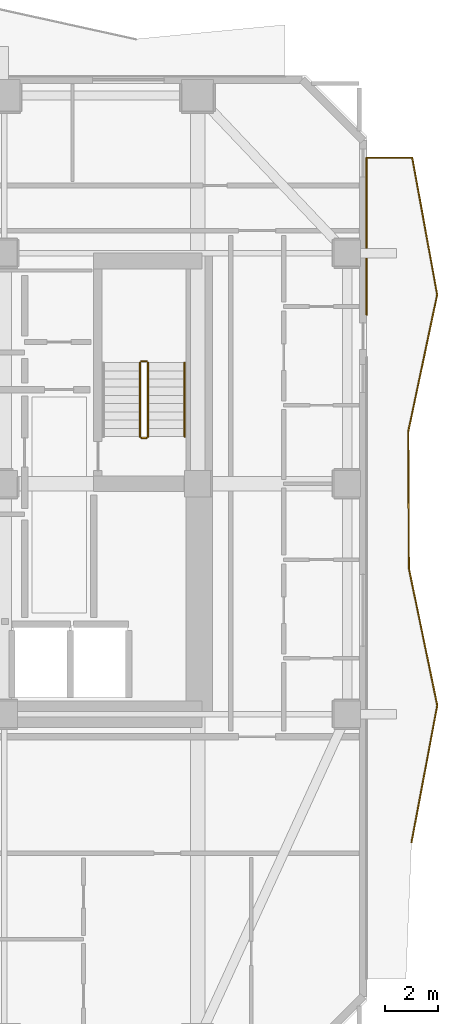
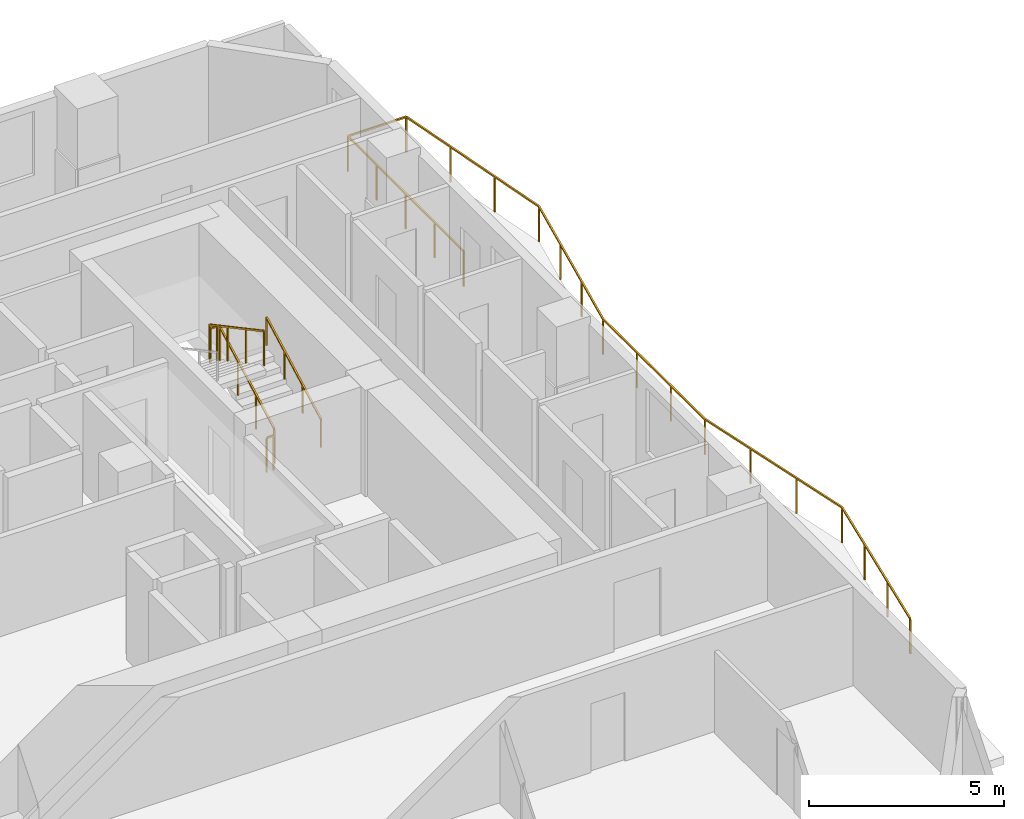
# One storey, part 10 of 11: 6 railings.
"""IFC4 building model written with IfcOpenShell, lengths in metres."""

import ifcopenshell
import ifcopenshell.guid

model = None  # the IFC model being written
_history = None  # IfcOwnerHistory: only IFC2X3 demands one
_inside = {}  # id of a spatial element -> (the spatial element, [elements in it])
_under = {}  # id of a project, library or spatial element -> (it, [spatial elements below it])
_declared = {}  # id of a project -> (the project, [libraries it declares])
_typed = {}  # id of a type object -> (the type object, [elements of that type])
_made_of = {}  # id of a material, layer set ... -> (it, [elements and type objects made of it])


def new_model(schema):
    """Start an empty IFC model of exactly this schema.

    Asked for "IFC4X3", IfcOpenShell would pick the latest addendum, in which some entities
    have other attributes; the version numbers below select the first issue.
    IFC2X3 requires an IfcOwnerHistory on every rooted entity: one is made here for all.
    """
    global model, _history
    if schema == "IFC4X3":
        model = ifcopenshell.file(schema_version=(4, 3, 0, 0))
    else:
        model = ifcopenshell.file(schema=schema)
    _inside.clear()
    _under.clear()
    _declared.clear()
    _typed.clear()
    _made_of.clear()
    _history = None
    if model.schema == "IFC2X3":
        org = make("IfcOrganization", Name="unknown")
        user = make(
            "IfcPersonAndOrganization",
            ThePerson=make("IfcPerson", FamilyName="unknown"),
            TheOrganization=org,
        )
        app = make(
            "IfcApplication",
            ApplicationDeveloper=org,
            Version="unknown",
            ApplicationFullName="unknown",
            ApplicationIdentifier="unknown",
        )
        _history = make(
            "IfcOwnerHistory",
            OwningUser=user,
            OwningApplication=app,
            ChangeAction="ADDED",
            CreationDate=0,
        )
    return model


def make(cls, **values):
    """One entity of the class cls with the attributes given. An attribute that is None is left unset."""
    return model.create_entity(
        cls, **{name: value for name, value in values.items() if value is not None}
    )


def rooted(cls, **values):
    """An entity with a GlobalId (a new one), such as an element, a storey or a relation."""
    return make(cls, GlobalId=ifcopenshell.guid.new(), OwnerHistory=_history, **values)


def si_unit(unit_type, name, prefix=None):
    """IfcSIUnit, for example si_unit("LENGTHUNIT", "METRE", prefix="MILLI")."""
    return make("IfcSIUnit", UnitType=unit_type, Prefix=prefix, Name=name)


def assignment(units):
    """IfcUnitAssignment: the units of a project."""
    return None if units is None else make("IfcUnitAssignment", Units=units)


def point(xyz):
    """IfcCartesianPoint."""
    return None if xyz is None else make("IfcCartesianPoint", Coordinates=xyz)


def direction(xyz):
    """IfcDirection."""
    return None if xyz is None else make("IfcDirection", DirectionRatios=xyz)


def frame(location, z_axis=None, x_axis=None):
    """IfcAxis2Placement3D, a coordinate frame: its origin and axes. An axis left out is left unset."""
    return make(
        "IfcAxis2Placement3D",
        Location=point(location),
        Axis=direction(z_axis),
        RefDirection=direction(x_axis),
    )


def frame_2d(location, x_axis=None):
    """IfcAxis2Placement2D, a coordinate frame in the plane: its origin and x axis."""
    return make(
        "IfcAxis2Placement2D", Location=point(location), RefDirection=direction(x_axis)
    )


def origin():
    """The frame at (0, 0, 0) with its axes left unset."""
    return frame((0.0, 0.0, 0.0))


def origin_2d():
    """The frame at (0, 0) in the plane with its x axis left unset."""
    return frame_2d((0.0, 0.0))


def place(relative_to, where):
    """IfcLocalPlacement: puts the frame where relative to a parent placement (None: the world)."""
    return make(
        "IfcLocalPlacement", PlacementRelTo=relative_to, RelativePlacement=where
    )


def context(
    kind, dimensions, precision=None, world=None, true_north=None, identifier=None
):
    """IfcGeometricRepresentationContext, for example the 3D "Model" context."""
    return make(
        "IfcGeometricRepresentationContext",
        ContextIdentifier=identifier,
        ContextType=kind,
        CoordinateSpaceDimension=dimensions,
        Precision=precision,
        WorldCoordinateSystem=world,
        TrueNorth=true_north,
    )


def subcontext(parent, identifier, kind, view, scale=None):
    """IfcGeometricRepresentationSubContext, for example "Body" below "Model"."""
    return make(
        "IfcGeometricRepresentationSubContext",
        ContextIdentifier=identifier,
        ContextType=kind,
        ParentContext=parent,
        TargetScale=scale,
        TargetView=view,
    )


def project(units=None, contexts=None):
    """IfcProject with its units and contexts."""
    return rooted(
        "IfcProject",
        Name="project",
        RepresentationContexts=contexts,
        UnitsInContext=assignment(units),
    )


def spatial(cls, under=None, at=None, **own):
    """A site, building, storey or space (cls), placed at a placement, below another one or the project."""
    s = rooted(cls, ObjectPlacement=at, **own)
    if under is not None:
        _under.setdefault(under.id(), (under, []))[1].append(s)
    return s


def profile(cls, at=None, kind="AREA", **sizes):
    """A parametric profile (cls). Its sizes go by their IFC names, for example OverallWidth=200.0."""
    return make(cls, ProfileType=kind, Position=at, **sizes)


def rectangle(**sizes):
    """IfcRectangleProfileDef."""
    return profile("IfcRectangleProfileDef", **sizes)


def extrude(swept, where, along, depth):
    """IfcExtrudedAreaSolid: the profile swept, set in the frame where, extruded along a direction by depth."""
    return make(
        "IfcExtrudedAreaSolid",
        SweptArea=swept,
        Position=where,
        ExtrudedDirection=direction(along),
        Depth=depth,
    )


def shape(context_of_items, identifier, shape_type, items):
    """IfcShapeRepresentation: the items that make up one representation, for example the "Body"."""
    return make(
        "IfcShapeRepresentation",
        ContextOfItems=context_of_items,
        RepresentationIdentifier=identifier,
        RepresentationType=shape_type,
        Items=items,
    )


def material(Name=None, Category=None):
    """IfcMaterial."""
    return make("IfcMaterial", Name=Name, Category=Category)


def made_of(thing, what):
    """Note that an element or type object is made of a material, layer set ...; save() writes the relation."""
    if what is not None:
        _made_of.setdefault(what.id(), (what, []))[1].append(thing)
    return thing


def type_object(cls, material=None, **own):
    """A type object (cls), such as IfcWallType, which elements share."""
    return made_of(rooted(cls, **own), material)


def element(
    cls,
    number,
    at=None,
    inside=None,
    cuts=None,
    type_object=None,
    material=None,
    context=None,
    identifier="Body",
    shape_type=None,
    held_by="IfcProductDefinitionShape",
    body=None,
    shapes=None,
    **own,
):
    """One element of the class cls, such as IfcWall. Its Tag is "e" and its number.

    at: its placement. inside: the storey or other place that contains it. cuts: it is an
    opening in that element (IfcRelVoidsElement). A single representation is given by context,
    identifier, shape_type and body (its items); several are given by shapes. held_by: the class
    of the entity that holds the representations. save() writes the other relations.
    """
    e = rooted(cls, Tag="e%d" % number, ObjectPlacement=at, **own)
    if body is not None:
        shapes = [shape(context, identifier, shape_type, body)]
    if shapes is not None:
        e.Representation = make(held_by, Representations=shapes)
    if inside is not None:
        _inside.setdefault(inside.id(), (inside, []))[1].append(e)
    if cuts is not None:
        rooted(
            "IfcRelVoidsElement", RelatingBuildingElement=cuts, RelatedOpeningElement=e
        )
    if type_object is not None:
        _typed.setdefault(type_object.id(), (type_object, []))[1].append(e)
    return made_of(e, material)


def aggregate(whole, parts):
    """IfcRelAggregates: a whole, such as a stair, and the parts it consists of."""
    return rooted("IfcRelAggregates", RelatingObject=whole, RelatedObjects=parts)


def save(model, path):
    """Write the relations noted so far, then the file.

    IfcRelAggregates (storeys below a building ...), IfcRelContainedInSpatialStructure (elements
    in a storey), IfcRelDefinesByType, IfcRelAssociatesMaterial and IfcRelDeclares: one each for
    every whole, place, type object, material and project.
    """
    for whole, parts in _under.values():
        aggregate(whole, parts)
    for where, things in _inside.values():
        rooted(
            "IfcRelContainedInSpatialStructure",
            RelatedElements=things,
            RelatingStructure=where,
        )
    for kind, things in _typed.values():
        rooted("IfcRelDefinesByType", RelatedObjects=things, RelatingType=kind)
    for what, things in _made_of.values():
        rooted("IfcRelAssociatesMaterial", RelatedObjects=things, RelatingMaterial=what)
    for by, libraries in _declared.values():
        rooted("IfcRelDeclares", RelatingContext=by, RelatedDefinitions=libraries)
    model.write(path)


model = new_model("IFC4")

# Units and contexts
model_context = context("Model", 3, precision=1e-05, world=origin(), true_north=direction((0.0, 1.0)))
body_context = subcontext(model_context, "Body", "Model", "MODEL_VIEW")
ifc_project = project(units=[si_unit("LENGTHUNIT", "METRE"), si_unit("AREAUNIT", "SQUARE_METRE"), si_unit("VOLUMEUNIT", "CUBIC_METRE"), si_unit("PLANEANGLEUNIT", "RADIAN"), si_unit("MASSUNIT", "GRAM", prefix="KILO")], contexts=[model_context])

# Site, building, storey
site_placement = place(None, origin())
site = spatial("IfcSite", under=ifc_project, at=site_placement, CompositionType="ELEMENT")
building_placement = place(site_placement, origin())
building = spatial("IfcBuilding", under=site, at=building_placement, Name="Solanera Arch Residences", CompositionType="ELEMENT")
storey_placement = place(building_placement, frame((0.0, 0.0, 109.39990234375)))
storey = spatial("IfcBuildingStorey", under=building, at=storey_placement, Name="L31", CompositionType="ELEMENT", Elevation=109.39990234375)

# Railings
ifc_material_1 = material(Name="Steel S355 (ASTM A992 / A572 Grade 50)", Category="steel")
railing_type_1 = type_object("IfcRailingType", Name="Balustrade Railing BL-1100", PredefinedType="BALUSTRADE", material=ifc_material_1)
railing_1_placement = place(storey_placement, frame((44.576904296875, 17.1669921875, 0.0)))
element("IfcRailing", 1, at=railing_1_placement, inside=storey, type_object=railing_type_1, Name="L31 E Balcony Balustrade 1", PredefinedType="BALUSTRADE", context=body_context, shape_type="SweptSolid", body=[
    extrude(rectangle(XDim=0.048095703125, YDim=0.048095703125, at=origin_2d()), frame((0.0, 0.0, 1.09619140625), z_axis=(0.184759627532, 0.982783740217, 0.0), x_axis=(-0.982783740217, 0.184759627532, 0.0)), (0.0, 0.0, 1.0), 5.256591796875),
    extrude(rectangle(XDim=0.048095703125, YDim=0.048095703125, at=origin_2d()), frame((0.97119140625, 5.166015625, 1.09619140625), z_axis=(-0.202971237886, 0.979184699937, 0.0), x_axis=(-0.979184699937, -0.202971237886, 0.0)), (0.0, 0.0, 1.0), 5.27685546875),
    extrude(rectangle(XDim=0.048095703125, YDim=0.048095703125, at=origin_2d()), frame((-0.099853515625, 10.3330078125, 1.09619140625), z_axis=(-0.004677703501, 0.999989059485, 0.0), x_axis=(-0.999989059485, -0.004677703501, 0.0)), (0.0, 0.0, 1.0), 5.1669921875),
    extrude(rectangle(XDim=0.048095703125, YDim=0.048095703125, at=origin_2d()), frame((-0.1240234375, 15.5, 1.09619140625), z_axis=(0.20681900987, 0.978379219504, 0.0), x_axis=(-0.978379219504, 0.20681900987, 0.0)), (0.0, 0.0, 1.0), 5.2802734375),
    extrude(rectangle(XDim=0.048095703125, YDim=0.048095703125, at=origin_2d()), frame((0.968017578125, 20.666015625, 1.09619140625), z_axis=(-0.179335384895, 0.983787995314, 0.0), x_axis=(-0.983787995314, -0.179335384895, 0.0)), (0.0, 0.0, 1.0), 5.252197265625),
    extrude(rectangle(XDim=0.048095703125, YDim=0.048095703125, at=origin_2d()), frame((0.026123046875, 25.8330078125, 1.09619140625), z_axis=(-1.0, 0.0, 0.0), x_axis=(0.0, -1.0, 0.0)), (0.0, 0.0, 1.0), 1.72314453125),
    extrude(rectangle(XDim=0.048095703125, YDim=0.048095703125, at=origin_2d()), frame((-1.697021484375, 25.8330078125, 1.09619140625), z_axis=(0.0, -1.0, 0.0), x_axis=(1.0, 0.0, 0.0)), (0.0, 0.0, 1.0), 5.926025390625),
    extrude(rectangle(XDim=0.0419921875, YDim=0.0419921875, at=origin_2d()), origin(), (0.0, 0.0, 1.0), 1.072021484375),
    extrude(rectangle(XDim=0.0419921875, YDim=0.0419921875, at=origin_2d()), frame((0.32373046875, 1.721923828125, 0.0)), (0.0, 0.0, 1.0), 1.072021484375),
    extrude(rectangle(XDim=0.0419921875, YDim=0.0419921875, at=origin_2d()), frame((0.6474609375, 3.444091796875, 0.0)), (0.0, 0.0, 1.0), 1.072021484375),
    extrude(rectangle(XDim=0.0419921875, YDim=0.0419921875, at=origin_2d()), frame((0.97119140625, 5.166015625, 0.0)), (0.0, 0.0, 1.0), 1.072021484375),
    extrude(rectangle(XDim=0.0419921875, YDim=0.0419921875, at=origin_2d()), frame((0.6142578125, 6.888427734375, 0.0)), (0.0, 0.0, 1.0), 1.072021484375),
    extrude(rectangle(XDim=0.0419921875, YDim=0.0419921875, at=origin_2d()), frame((0.257080078125, 8.610595703125, 0.0)), (0.0, 0.0, 1.0), 1.072021484375),
    extrude(rectangle(XDim=0.0419921875, YDim=0.0419921875, at=origin_2d()), frame((-0.099853515625, 10.3330078125, 0.0)), (0.0, 0.0, 1.0), 1.072021484375),
    extrude(rectangle(XDim=0.0419921875, YDim=0.0419921875, at=origin_2d()), frame((-0.10791015625, 12.055419921875, 0.0)), (0.0, 0.0, 1.0), 1.072021484375),
    extrude(rectangle(XDim=0.0419921875, YDim=0.0419921875, at=origin_2d()), frame((-0.115966796875, 13.777587890625, 0.0)), (0.0, 0.0, 1.0), 1.072021484375),
    extrude(rectangle(XDim=0.0419921875, YDim=0.0419921875, at=origin_2d()), frame((-0.1240234375, 15.5, 0.0)), (0.0, 0.0, 1.0), 1.072021484375),
    extrude(rectangle(XDim=0.0419921875, YDim=0.0419921875, at=origin_2d()), frame((0.239990234375, 17.221923828125, 0.0)), (0.0, 0.0, 1.0), 1.072021484375),
    extrude(rectangle(XDim=0.0419921875, YDim=0.0419921875, at=origin_2d()), frame((0.60400390625, 18.944091796875, 0.0)), (0.0, 0.0, 1.0), 1.072021484375),
    extrude(rectangle(XDim=0.0419921875, YDim=0.0419921875, at=origin_2d()), frame((0.968017578125, 20.666015625, 0.0)), (0.0, 0.0, 1.0), 1.072021484375),
    extrude(rectangle(XDim=0.0419921875, YDim=0.0419921875, at=origin_2d()), frame((0.654052734375, 22.388427734375, 0.0)), (0.0, 0.0, 1.0), 1.072021484375),
    extrude(rectangle(XDim=0.0419921875, YDim=0.0419921875, at=origin_2d()), frame((0.340087890625, 24.110595703125, 0.0)), (0.0, 0.0, 1.0), 1.072021484375),
    extrude(rectangle(XDim=0.0419921875, YDim=0.0419921875, at=origin_2d()), frame((0.026123046875, 25.8330078125, 0.0)), (0.0, 0.0, 1.0), 1.072021484375),
    extrude(rectangle(XDim=0.0419921875, YDim=0.0419921875, at=origin_2d()), frame((-1.697021484375, 25.8330078125, 0.0)), (0.0, 0.0, 1.0), 1.072021484375),
    extrude(rectangle(XDim=0.0419921875, YDim=0.0419921875, at=origin_2d()), frame((-1.697021484375, 24.3515625, 0.0)), (0.0, 0.0, 1.0), 1.072021484375),
    extrude(rectangle(XDim=0.0419921875, YDim=0.0419921875, at=origin_2d()), frame((-1.697021484375, 22.8701171875, 0.0)), (0.0, 0.0, 1.0), 1.072021484375),
    extrude(rectangle(XDim=0.0419921875, YDim=0.0419921875, at=origin_2d()), frame((-1.697021484375, 21.388427734375, 0.0)), (0.0, 0.0, 1.0), 1.072021484375),
    extrude(rectangle(XDim=0.0419921875, YDim=0.0419921875, at=origin_2d()), frame((-1.697021484375, 19.906982421875, 0.0)), (0.0, 0.0, 1.0), 1.072021484375),
])
ifc_material_2 = material(Name="Steel S355 (ASTM A992 / A572 Grade 50)", Category="steel")
railing_type_2 = type_object("IfcRailingType", Name="Stair Guardrail GR-1100", PredefinedType="GUARDRAIL", material=ifc_material_2)
railing_2_placement = place(storey_placement, frame((34.6298828125, 32.47998046875, 0.151123046875)))
element("IfcRailing", 2, at=railing_2_placement, inside=storey, type_object=railing_type_2, Name="L31 ST-T2 stair guard 1", PredefinedType="GUARDRAIL", context=body_context, shape_type="SweptSolid", body=[
    extrude(rectangle(XDim=0.048095703125, YDim=0.048095703125, at=origin_2d()), frame((0.0, 0.0, 1.076171875), z_axis=(0.0, 0.881580869306, 0.472033018838), x_axis=(-1.0, 0.0, 0.0)), (0.0, 0.0, 1.0), 3.164794921875),
    extrude(rectangle(XDim=0.0419921875, YDim=0.0419921875, at=origin_2d()), origin(), (0.0, 0.0, 1.0), 1.052001953125),
    extrude(rectangle(XDim=0.0419921875, YDim=0.0419921875, at=origin_2d()), frame((0.0, 0.929931640625, 0.498046875)), (0.0, 0.0, 1.0), 1.052001953125),
    extrude(rectangle(XDim=0.0419921875, YDim=0.0419921875, at=origin_2d()), frame((0.0, 1.860107421875, 0.995849609375)), (0.0, 0.0, 1.0), 1.052001953125),
    extrude(rectangle(XDim=0.0419921875, YDim=0.0419921875, at=origin_2d()), frame((0.0, 2.7900390625, 1.493896484375)), (0.0, 0.0, 1.0), 1.052001953125),
])
railing_3_placement = place(storey_placement, frame((34.580078125, 35.320068359375, 1.64501953125)))
element("IfcRailing", 3, at=railing_3_placement, inside=storey, type_object=railing_type_2, Name="L31 ST-T2 stair guard 2", PredefinedType="GUARDRAIL", context=body_context, shape_type="SweptSolid", body=[
    extrude(rectangle(XDim=0.048095703125, YDim=0.048095703125, at=origin_2d()), frame((0.0, 0.0, 1.076171875), z_axis=(-1.0, 0.0, 0.0), x_axis=(0.0, -1.0, 0.0)), (0.0, 0.0, 1.0), 0.2001953125),
    extrude(rectangle(XDim=0.0419921875, YDim=0.0419921875, at=origin_2d()), origin(), (0.0, 0.0, 1.0), 1.052001953125),
    extrude(rectangle(XDim=0.0419921875, YDim=0.0419921875, at=origin_2d()), frame((-0.2001953125, 0.0, 0.0)), (0.0, 0.0, 1.0), 1.052001953125),
])
railing_4_placement = place(storey_placement, frame((34.330078125, 35.27001953125, 1.81103515625)))
element("IfcRailing", 4, at=railing_4_placement, inside=storey, type_object=railing_type_2, Name="L31 ST-T2 stair guard 3", PredefinedType="GUARDRAIL", context=body_context, shape_type="SweptSolid", body=[
    extrude(rectangle(XDim=0.048095703125, YDim=0.048095703125, at=origin_2d()), frame((0.0, 0.0, 1.076171875), z_axis=(0.0, -0.881548766853, 0.472092969298), x_axis=(1.0, 0.0, 0.0)), (0.0, 0.0, 1.0), 3.1650390625),
    extrude(rectangle(XDim=0.0419921875, YDim=0.0419921875, at=origin_2d()), origin(), (0.0, 0.0, 1.0), 1.052001953125),
    extrude(rectangle(XDim=0.0419921875, YDim=0.0419921875, at=origin_2d()), frame((0.0, -0.929931640625, 0.498046875)), (0.0, 0.0, 1.0), 1.052001953125),
    extrude(rectangle(XDim=0.0419921875, YDim=0.0419921875, at=origin_2d()), frame((0.0, -1.860107421875, 0.99609375)), (0.0, 0.0, 1.0), 1.052001953125),
    extrude(rectangle(XDim=0.0419921875, YDim=0.0419921875, at=origin_2d()), frame((0.0, -2.7900390625, 1.494140625)), (0.0, 0.0, 1.0), 1.052001953125),
])
railing_5_placement = place(storey_placement, frame((34.580078125, 32.429931640625, -0.014892578125)))
element("IfcRailing", 5, at=railing_5_placement, inside=storey, type_object=railing_type_2, Name="L31 ST-T2 stair guard 4", PredefinedType="GUARDRAIL", context=body_context, shape_type="SweptSolid", body=[
    extrude(rectangle(XDim=0.048095703125, YDim=0.048095703125, at=origin_2d()), frame((0.0, 0.0, 1.076171875), z_axis=(-1.0, 0.0, 0.0), x_axis=(0.0, -1.0, 0.0)), (0.0, 0.0, 1.0), 0.2001953125),
    extrude(rectangle(XDim=0.0419921875, YDim=0.0419921875, at=origin_2d()), origin(), (0.0, 0.0, 1.0), 1.052001953125),
    extrude(rectangle(XDim=0.0419921875, YDim=0.0419921875, at=origin_2d()), frame((-0.2001953125, 0.0, 0.0)), (0.0, 0.0, 1.0), 1.052001953125),
])
ifc_material_3 = material(Name="Steel S355 (ASTM A992 / A572 Grade 50)", Category="steel")
railing_type_3 = type_object("IfcRailingType", Name="Stair Wall Handrail HR-920", PredefinedType="HANDRAIL", material=ifc_material_3)
railing_6_placement = place(storey_placement, frame((36.010009765625, 32.47998046875, 0.166015625)))
element("IfcRailing", 6, at=railing_6_placement, inside=storey, type_object=railing_type_3, Name="L31 ST-T2 stair handrail 1", PredefinedType="HANDRAIL", context=body_context, shape_type="SweptSolid", body=[
    extrude(rectangle(XDim=0.048095703125, YDim=0.048095703125, at=origin_2d()), frame((0.0, 0.0, 0.8759765625), z_axis=(0.0, 0.881548766853, 0.472092969298), x_axis=(-1.0, 0.0, 0.0)), (0.0, 0.0, 1.0), 3.1650390625),
    extrude(rectangle(XDim=0.0419921875, YDim=0.0419921875, at=origin_2d()), origin(), (0.0, 0.0, 1.0), 0.851806640625),
    extrude(rectangle(XDim=0.0419921875, YDim=0.0419921875, at=origin_2d()), frame((0.0, 0.929931640625, 0.498046875)), (0.0, 0.0, 1.0), 0.851806640625),
    extrude(rectangle(XDim=0.0419921875, YDim=0.0419921875, at=origin_2d()), frame((0.0, 1.860107421875, 0.99609375)), (0.0, 0.0, 1.0), 0.851806640625),
    extrude(rectangle(XDim=0.0419921875, YDim=0.0419921875, at=origin_2d()), frame((0.0, 2.7900390625, 1.494140625)), (0.0, 0.0, 1.0), 0.851806640625),
])

save(model, "model.ifc")
